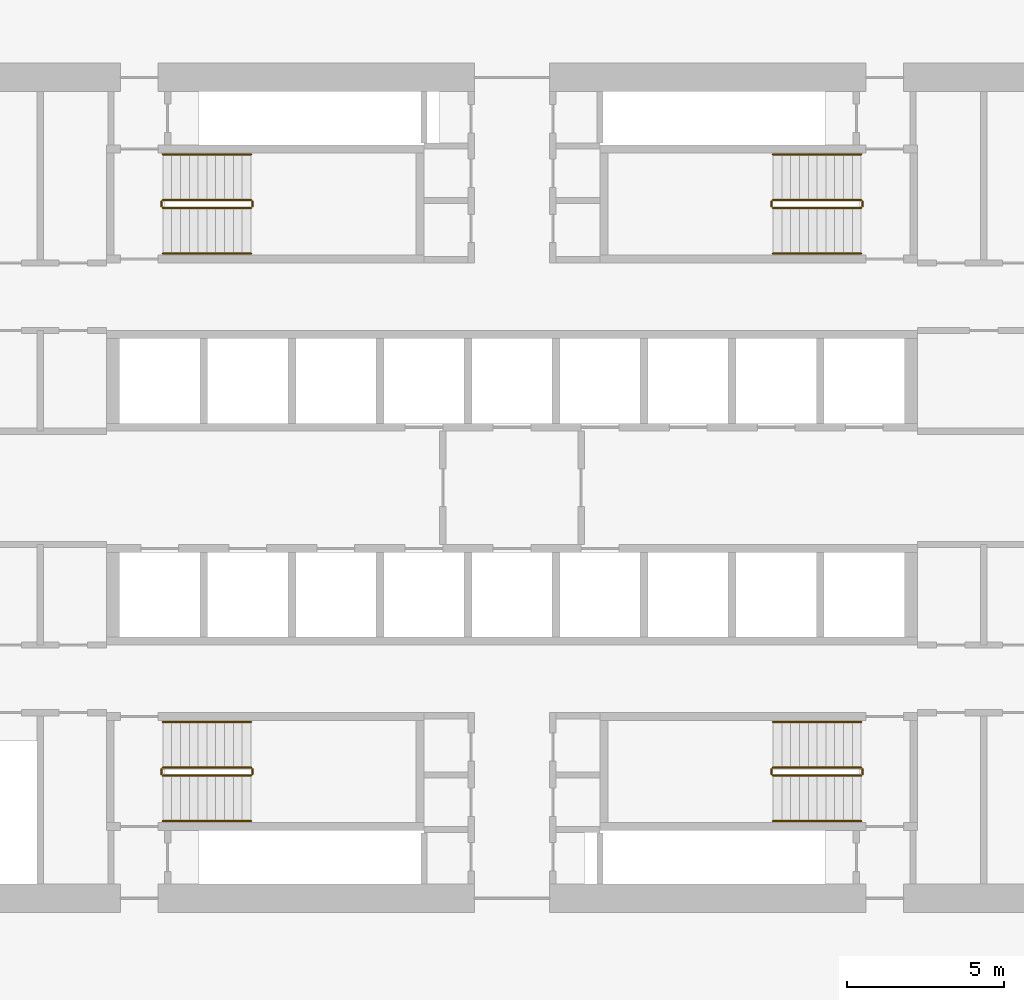
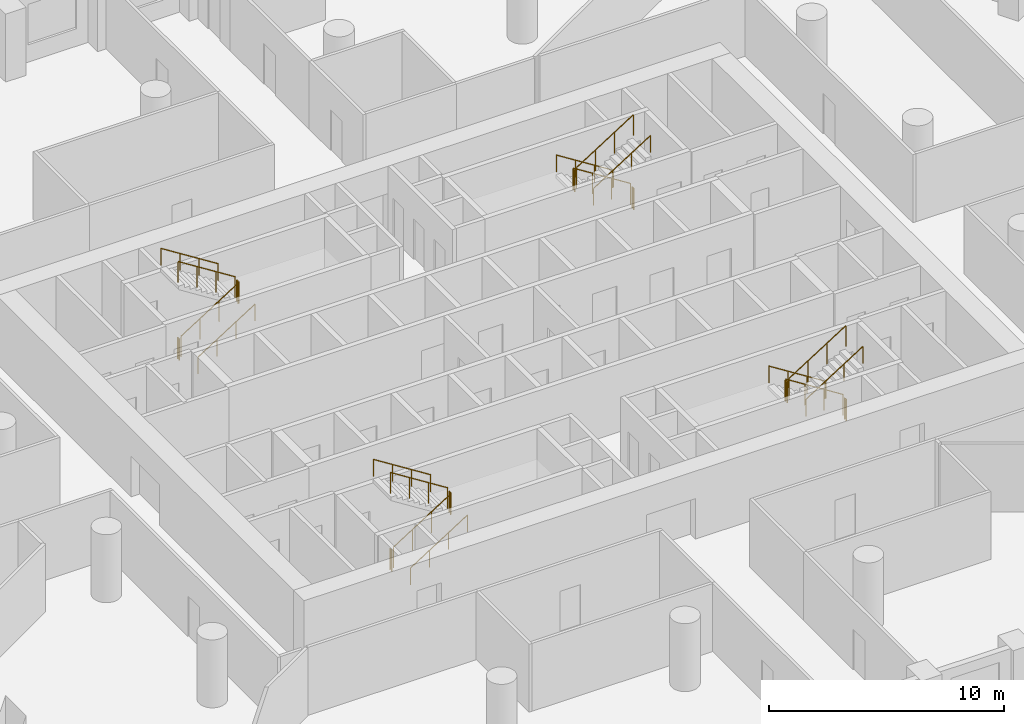
# One storey, part 10 of 10: 24 railings.
"""IFC4 building model written with IfcOpenShell, lengths in metres."""

from ifc_helpers import new_model, si_unit, direction, frame, origin, origin_2d, place, context, subcontext, project, spatial, circle, extrude, material, type_object, element, save


model = new_model("IFC4")

# Units and contexts
model_context = context("Model", 3, precision=1e-05, world=origin(), true_north=direction((0.0, 1.0)))
body_context = subcontext(model_context, "Body", "Model", "MODEL_VIEW")
ifc_project = project(units=[si_unit("LENGTHUNIT", "METRE"), si_unit("AREAUNIT", "SQUARE_METRE"), si_unit("VOLUMEUNIT", "CUBIC_METRE"), si_unit("PLANEANGLEUNIT", "RADIAN"), si_unit("MASSUNIT", "GRAM", prefix="KILO")], contexts=[model_context])

# Site, building, storey
site_placement = place(None, origin())
site = spatial("IfcSite", under=ifc_project, at=site_placement, CompositionType="ELEMENT")
building_placement = place(site_placement, origin())
building = spatial("IfcBuilding", under=site, at=building_placement, Name="Dhurran Vertical Campus", CompositionType="ELEMENT")
storey_placement = place(building_placement, frame((0.0, 0.0, 112.5)))
storey = spatial("IfcBuildingStorey", under=building, at=storey_placement, Name="L27", CompositionType="ELEMENT", Elevation=112.5)

# Railings
ifc_material_1 = material(Name="Stainless steel balustrade", Category="steel")
railing_type_1 = type_object("IfcRailingType", Name="co-RL-GUARD-1100", PredefinedType="GUARDRAIL", material=ifc_material_1)
railing_1_placement = place(storey_placement, frame((-11.10009765625, 8.89990234375, 0.17724609375)))
element("IfcRailing", 1, at=railing_1_placement, inside=storey, type_object=railing_type_1, Name="L27 ST1 stair guard 1", PredefinedType="GUARDRAIL", context=body_context, shape_type="SweptSolid", body=[
    extrude(circle(Radius=0.02392578125, at=origin_2d()), frame((0.0, 0.0, 1.076171875), z_axis=(0.844908973607, 0.0, 0.534910110503), x_axis=(0.0, 1.0, 0.0)), (0.0, 0.0, 1.0), 3.31396484375),
    extrude(circle(Radius=0.02099609375, at=origin_2d()), origin(), (0.0, 0.0, 1.0), 1.052001953125),
    extrude(circle(Radius=0.02099609375, at=origin_2d()), frame((0.933349609375, 0.0, 0.5908203125)), (0.0, 0.0, 1.0), 1.052001953125),
    extrude(circle(Radius=0.02099609375, at=origin_2d()), frame((1.86669921875, 0.0, 1.181884765625)), (0.0, 0.0, 1.0), 1.052001953125),
    extrude(circle(Radius=0.02099609375, at=origin_2d()), frame((2.800048828125, 0.0, 1.772705078125)), (0.0, 0.0, 1.0), 1.052001953125),
])
railing_2_placement = place(storey_placement, frame((-8.25, 8.949951171875, 1.949951171875)))
element("IfcRailing", 2, at=railing_2_placement, inside=storey, type_object=railing_type_1, Name="L27 ST1 stair guard 2", PredefinedType="GUARDRAIL", context=body_context, shape_type="SweptSolid", body=[
    extrude(circle(Radius=0.02392578125, at=origin_2d()), frame((0.0, 0.0, 1.076171875), z_axis=(0.0, 1.0, 0.0), x_axis=(-1.0, 0.0, 0.0)), (0.0, 0.0, 1.0), 0.150146484375),
    extrude(circle(Radius=0.02099609375, at=origin_2d()), origin(), (0.0, 0.0, 1.0), 1.052001953125),
    extrude(circle(Radius=0.02099609375, at=origin_2d()), frame((0.0, 0.150146484375, 0.0)), (0.0, 0.0, 1.0), 1.052001953125),
])
railing_3_placement = place(storey_placement, frame((-8.300048828125, 9.14990234375, 2.127197265625)))
element("IfcRailing", 3, at=railing_3_placement, inside=storey, type_object=railing_type_1, Name="L27 ST1 stair guard 3", PredefinedType="GUARDRAIL", context=body_context, shape_type="SweptSolid", body=[
    extrude(circle(Radius=0.02392578125, at=origin_2d()), frame((0.0, 0.0, 1.076171875), z_axis=(-0.844908973607, 0.0, 0.534910110503), x_axis=(0.0, -1.0, 0.0)), (0.0, 0.0, 1.0), 3.31396484375),
    extrude(circle(Radius=0.02099609375, at=origin_2d()), origin(), (0.0, 0.0, 1.0), 1.052001953125),
    extrude(circle(Radius=0.02099609375, at=origin_2d()), frame((-0.933349609375, 0.0, 0.5908203125)), (0.0, 0.0, 1.0), 1.052001953125),
    extrude(circle(Radius=0.02099609375, at=origin_2d()), frame((-1.86669921875, 0.0, 1.181884765625)), (0.0, 0.0, 1.0), 1.052001953125),
    extrude(circle(Radius=0.02099609375, at=origin_2d()), frame((-2.800048828125, 0.0, 1.772705078125)), (0.0, 0.0, 1.0), 1.052001953125),
])
railing_4_placement = place(storey_placement, frame((-11.14990234375, 8.949951171875, 0.0)))
element("IfcRailing", 4, at=railing_4_placement, inside=storey, type_object=railing_type_1, Name="L27 ST1 stair guard 4", PredefinedType="GUARDRAIL", context=body_context, shape_type="SweptSolid", body=[
    extrude(circle(Radius=0.02392578125, at=origin_2d()), frame((0.0, 0.0, 1.076171875), z_axis=(0.0, 1.0, 0.0), x_axis=(-1.0, 0.0, 0.0)), (0.0, 0.0, 1.0), 0.150146484375),
    extrude(circle(Radius=0.02099609375, at=origin_2d()), origin(), (0.0, 0.0, 1.0), 1.052001953125),
    extrude(circle(Radius=0.02099609375, at=origin_2d()), frame((0.0, 0.150146484375, 0.0)), (0.0, 0.0, 1.0), 1.052001953125),
])
railing_5_placement = place(storey_placement, frame((11.10009765625, 9.14990234375, 0.17724609375)))
element("IfcRailing", 5, at=railing_5_placement, inside=storey, type_object=railing_type_1, Name="L27 ST2 stair guard 1", PredefinedType="GUARDRAIL", context=body_context, shape_type="SweptSolid", body=[
    extrude(circle(Radius=0.02392578125, at=origin_2d()), frame((0.0, 0.0, 1.076171875), z_axis=(-0.844908973607, 0.0, 0.534910110503), x_axis=(0.0, -1.0, 0.0)), (0.0, 0.0, 1.0), 3.31396484375),
    extrude(circle(Radius=0.02099609375, at=origin_2d()), origin(), (0.0, 0.0, 1.0), 1.052001953125),
    extrude(circle(Radius=0.02099609375, at=origin_2d()), frame((-0.933349609375, 0.0, 0.5908203125)), (0.0, 0.0, 1.0), 1.052001953125),
    extrude(circle(Radius=0.02099609375, at=origin_2d()), frame((-1.86669921875, 0.0, 1.181884765625)), (0.0, 0.0, 1.0), 1.052001953125),
    extrude(circle(Radius=0.02099609375, at=origin_2d()), frame((-2.800048828125, 0.0, 1.772705078125)), (0.0, 0.0, 1.0), 1.052001953125),
])
railing_6_placement = place(storey_placement, frame((8.25, 9.10009765625, 1.949951171875)))
element("IfcRailing", 6, at=railing_6_placement, inside=storey, type_object=railing_type_1, Name="L27 ST2 stair guard 2", PredefinedType="GUARDRAIL", context=body_context, shape_type="SweptSolid", body=[
    extrude(circle(Radius=0.02392578125, at=origin_2d()), frame((0.0, 0.0, 1.076171875), z_axis=(0.0, -1.0, 0.0), x_axis=(1.0, 0.0, 0.0)), (0.0, 0.0, 1.0), 0.150146484375),
    extrude(circle(Radius=0.02099609375, at=origin_2d()), origin(), (0.0, 0.0, 1.0), 1.052001953125),
    extrude(circle(Radius=0.02099609375, at=origin_2d()), frame((0.0, -0.150146484375, 0.0)), (0.0, 0.0, 1.0), 1.052001953125),
])
railing_7_placement = place(storey_placement, frame((8.300048828125, 8.89990234375, 2.127197265625)))
element("IfcRailing", 7, at=railing_7_placement, inside=storey, type_object=railing_type_1, Name="L27 ST2 stair guard 3", PredefinedType="GUARDRAIL", context=body_context, shape_type="SweptSolid", body=[
    extrude(circle(Radius=0.02392578125, at=origin_2d()), frame((0.0, 0.0, 1.076171875), z_axis=(0.844908973607, 0.0, 0.534910110503), x_axis=(0.0, 1.0, 0.0)), (0.0, 0.0, 1.0), 3.31396484375),
    extrude(circle(Radius=0.02099609375, at=origin_2d()), origin(), (0.0, 0.0, 1.0), 1.052001953125),
    extrude(circle(Radius=0.02099609375, at=origin_2d()), frame((0.933349609375, 0.0, 0.5908203125)), (0.0, 0.0, 1.0), 1.052001953125),
    extrude(circle(Radius=0.02099609375, at=origin_2d()), frame((1.86669921875, 0.0, 1.181884765625)), (0.0, 0.0, 1.0), 1.052001953125),
    extrude(circle(Radius=0.02099609375, at=origin_2d()), frame((2.800048828125, 0.0, 1.772705078125)), (0.0, 0.0, 1.0), 1.052001953125),
])
railing_8_placement = place(storey_placement, frame((11.14990234375, 9.10009765625, 0.0)))
element("IfcRailing", 8, at=railing_8_placement, inside=storey, type_object=railing_type_1, Name="L27 ST2 stair guard 4", PredefinedType="GUARDRAIL", context=body_context, shape_type="SweptSolid", body=[
    extrude(circle(Radius=0.02392578125, at=origin_2d()), frame((0.0, 0.0, 1.076171875), z_axis=(0.0, -1.0, 0.0), x_axis=(1.0, 0.0, 0.0)), (0.0, 0.0, 1.0), 0.150146484375),
    extrude(circle(Radius=0.02099609375, at=origin_2d()), origin(), (0.0, 0.0, 1.0), 1.052001953125),
    extrude(circle(Radius=0.02099609375, at=origin_2d()), frame((0.0, -0.150146484375, 0.0)), (0.0, 0.0, 1.0), 1.052001953125),
])
railing_9_placement = place(storey_placement, frame((-11.10009765625, -9.14990234375, 0.17724609375)))
element("IfcRailing", 9, at=railing_9_placement, inside=storey, type_object=railing_type_1, Name="L27 ST3 stair guard 1", PredefinedType="GUARDRAIL", context=body_context, shape_type="SweptSolid", body=[
    extrude(circle(Radius=0.02392578125, at=origin_2d()), frame((0.0, 0.0, 1.076171875), z_axis=(0.844908973607, 0.0, 0.534910110503), x_axis=(0.0, 1.0, 0.0)), (0.0, 0.0, 1.0), 3.31396484375),
    extrude(circle(Radius=0.02099609375, at=origin_2d()), origin(), (0.0, 0.0, 1.0), 1.052001953125),
    extrude(circle(Radius=0.02099609375, at=origin_2d()), frame((0.933349609375, 0.0, 0.5908203125)), (0.0, 0.0, 1.0), 1.052001953125),
    extrude(circle(Radius=0.02099609375, at=origin_2d()), frame((1.86669921875, 0.0, 1.181884765625)), (0.0, 0.0, 1.0), 1.052001953125),
    extrude(circle(Radius=0.02099609375, at=origin_2d()), frame((2.800048828125, 0.0, 1.772705078125)), (0.0, 0.0, 1.0), 1.052001953125),
])
railing_10_placement = place(storey_placement, frame((-8.25, -9.10009765625, 1.949951171875)))
element("IfcRailing", 10, at=railing_10_placement, inside=storey, type_object=railing_type_1, Name="L27 ST3 stair guard 2", PredefinedType="GUARDRAIL", context=body_context, shape_type="SweptSolid", body=[
    extrude(circle(Radius=0.02392578125, at=origin_2d()), frame((0.0, 0.0, 1.076171875), z_axis=(0.0, 1.0, 0.0), x_axis=(-1.0, 0.0, 0.0)), (0.0, 0.0, 1.0), 0.150146484375),
    extrude(circle(Radius=0.02099609375, at=origin_2d()), origin(), (0.0, 0.0, 1.0), 1.052001953125),
    extrude(circle(Radius=0.02099609375, at=origin_2d()), frame((0.0, 0.150146484375, 0.0)), (0.0, 0.0, 1.0), 1.052001953125),
])
railing_11_placement = place(storey_placement, frame((-8.300048828125, -8.89990234375, 2.127197265625)))
element("IfcRailing", 11, at=railing_11_placement, inside=storey, type_object=railing_type_1, Name="L27 ST3 stair guard 3", PredefinedType="GUARDRAIL", context=body_context, shape_type="SweptSolid", body=[
    extrude(circle(Radius=0.02392578125, at=origin_2d()), frame((0.0, 0.0, 1.076171875), z_axis=(-0.844908973607, 0.0, 0.534910110503), x_axis=(0.0, -1.0, 0.0)), (0.0, 0.0, 1.0), 3.31396484375),
    extrude(circle(Radius=0.02099609375, at=origin_2d()), origin(), (0.0, 0.0, 1.0), 1.052001953125),
    extrude(circle(Radius=0.02099609375, at=origin_2d()), frame((-0.933349609375, 0.0, 0.5908203125)), (0.0, 0.0, 1.0), 1.052001953125),
    extrude(circle(Radius=0.02099609375, at=origin_2d()), frame((-1.86669921875, 0.0, 1.181884765625)), (0.0, 0.0, 1.0), 1.052001953125),
    extrude(circle(Radius=0.02099609375, at=origin_2d()), frame((-2.800048828125, 0.0, 1.772705078125)), (0.0, 0.0, 1.0), 1.052001953125),
])
railing_12_placement = place(storey_placement, frame((-11.14990234375, -9.10009765625, 0.0)))
element("IfcRailing", 12, at=railing_12_placement, inside=storey, type_object=railing_type_1, Name="L27 ST3 stair guard 4", PredefinedType="GUARDRAIL", context=body_context, shape_type="SweptSolid", body=[
    extrude(circle(Radius=0.02392578125, at=origin_2d()), frame((0.0, 0.0, 1.076171875), z_axis=(0.0, 1.0, 0.0), x_axis=(-1.0, 0.0, 0.0)), (0.0, 0.0, 1.0), 0.150146484375),
    extrude(circle(Radius=0.02099609375, at=origin_2d()), origin(), (0.0, 0.0, 1.0), 1.052001953125),
    extrude(circle(Radius=0.02099609375, at=origin_2d()), frame((0.0, 0.150146484375, 0.0)), (0.0, 0.0, 1.0), 1.052001953125),
])
railing_13_placement = place(storey_placement, frame((11.10009765625, -8.89990234375, 0.17724609375)))
element("IfcRailing", 13, at=railing_13_placement, inside=storey, type_object=railing_type_1, Name="L27 ST4 stair guard 1", PredefinedType="GUARDRAIL", context=body_context, shape_type="SweptSolid", body=[
    extrude(circle(Radius=0.02392578125, at=origin_2d()), frame((0.0, 0.0, 1.076171875), z_axis=(-0.844908973607, 0.0, 0.534910110503), x_axis=(0.0, -1.0, 0.0)), (0.0, 0.0, 1.0), 3.31396484375),
    extrude(circle(Radius=0.02099609375, at=origin_2d()), origin(), (0.0, 0.0, 1.0), 1.052001953125),
    extrude(circle(Radius=0.02099609375, at=origin_2d()), frame((-0.933349609375, 0.0, 0.5908203125)), (0.0, 0.0, 1.0), 1.052001953125),
    extrude(circle(Radius=0.02099609375, at=origin_2d()), frame((-1.86669921875, 0.0, 1.181884765625)), (0.0, 0.0, 1.0), 1.052001953125),
    extrude(circle(Radius=0.02099609375, at=origin_2d()), frame((-2.800048828125, 0.0, 1.772705078125)), (0.0, 0.0, 1.0), 1.052001953125),
])
railing_14_placement = place(storey_placement, frame((8.25, -8.949951171875, 1.949951171875)))
element("IfcRailing", 14, at=railing_14_placement, inside=storey, type_object=railing_type_1, Name="L27 ST4 stair guard 2", PredefinedType="GUARDRAIL", context=body_context, shape_type="SweptSolid", body=[
    extrude(circle(Radius=0.02392578125, at=origin_2d()), frame((0.0, 0.0, 1.076171875), z_axis=(0.0, -1.0, 0.0), x_axis=(1.0, 0.0, 0.0)), (0.0, 0.0, 1.0), 0.150146484375),
    extrude(circle(Radius=0.02099609375, at=origin_2d()), origin(), (0.0, 0.0, 1.0), 1.052001953125),
    extrude(circle(Radius=0.02099609375, at=origin_2d()), frame((0.0, -0.150146484375, 0.0)), (0.0, 0.0, 1.0), 1.052001953125),
])
railing_15_placement = place(storey_placement, frame((8.300048828125, -9.14990234375, 2.127197265625)))
element("IfcRailing", 15, at=railing_15_placement, inside=storey, type_object=railing_type_1, Name="L27 ST4 stair guard 3", PredefinedType="GUARDRAIL", context=body_context, shape_type="SweptSolid", body=[
    extrude(circle(Radius=0.02392578125, at=origin_2d()), frame((0.0, 0.0, 1.076171875), z_axis=(0.844908973607, 0.0, 0.534910110503), x_axis=(0.0, 1.0, 0.0)), (0.0, 0.0, 1.0), 3.31396484375),
    extrude(circle(Radius=0.02099609375, at=origin_2d()), origin(), (0.0, 0.0, 1.0), 1.052001953125),
    extrude(circle(Radius=0.02099609375, at=origin_2d()), frame((0.933349609375, 0.0, 0.5908203125)), (0.0, 0.0, 1.0), 1.052001953125),
    extrude(circle(Radius=0.02099609375, at=origin_2d()), frame((1.86669921875, 0.0, 1.181884765625)), (0.0, 0.0, 1.0), 1.052001953125),
    extrude(circle(Radius=0.02099609375, at=origin_2d()), frame((2.800048828125, 0.0, 1.772705078125)), (0.0, 0.0, 1.0), 1.052001953125),
])
railing_16_placement = place(storey_placement, frame((11.14990234375, -8.949951171875, 0.0)))
element("IfcRailing", 16, at=railing_16_placement, inside=storey, type_object=railing_type_1, Name="L27 ST4 stair guard 4", PredefinedType="GUARDRAIL", context=body_context, shape_type="SweptSolid", body=[
    extrude(circle(Radius=0.02392578125, at=origin_2d()), frame((0.0, 0.0, 1.076171875), z_axis=(0.0, -1.0, 0.0), x_axis=(1.0, 0.0, 0.0)), (0.0, 0.0, 1.0), 0.150146484375),
    extrude(circle(Radius=0.02099609375, at=origin_2d()), origin(), (0.0, 0.0, 1.0), 1.052001953125),
    extrude(circle(Radius=0.02099609375, at=origin_2d()), frame((0.0, -0.150146484375, 0.0)), (0.0, 0.0, 1.0), 1.052001953125),
])
ifc_material_2 = material(Name="Stainless steel handrail", Category="steel")
railing_type_2 = type_object("IfcRailingType", Name="co-RL-HANDRAIL-900", PredefinedType="HANDRAIL", material=ifc_material_2)
railing_17_placement = place(storey_placement, frame((-11.10009765625, 7.449951171875, 0.17724609375)))
element("IfcRailing", 17, at=railing_17_placement, inside=storey, type_object=railing_type_2, Name="L27 ST1 stair handrail 1", PredefinedType="HANDRAIL", context=body_context, shape_type="SweptSolid", body=[
    extrude(circle(Radius=0.02392578125, at=origin_2d()), frame((0.0, 0.0, 0.8759765625), z_axis=(0.844908973607, 0.0, 0.534910110503), x_axis=(0.0, 1.0, 0.0)), (0.0, 0.0, 1.0), 3.31396484375),
    extrude(circle(Radius=0.02099609375, at=origin_2d()), origin(), (0.0, 0.0, 1.0), 0.851806640625),
    extrude(circle(Radius=0.02099609375, at=origin_2d()), frame((0.933349609375, 0.0, 0.5908203125)), (0.0, 0.0, 1.0), 0.851806640625),
    extrude(circle(Radius=0.02099609375, at=origin_2d()), frame((1.86669921875, 0.0, 1.181884765625)), (0.0, 0.0, 1.0), 0.851806640625),
    extrude(circle(Radius=0.02099609375, at=origin_2d()), frame((2.800048828125, 0.0, 1.772705078125)), (0.0, 0.0, 1.0), 0.851806640625),
])
for number, where, name in (
    (18, (-8.300048828125, 10.60009765625, 2.127197265625), "L27 ST1 stair handrail 2"),
    (19, (11.10009765625, 10.60009765625, 0.17724609375), "L27 ST2 stair handrail 1"),
):
    element("IfcRailing", number, at=place(storey_placement, frame(where)), inside=storey, type_object=railing_type_2, Name=name, PredefinedType="HANDRAIL", context=body_context, shape_type="SweptSolid", body=[
        extrude(circle(Radius=0.02392578125, at=origin_2d()), frame((0.0, 0.0, 0.8759765625), z_axis=(-0.844908973607, 0.0, 0.534910110503), x_axis=(0.0, -1.0, 0.0)), (0.0, 0.0, 1.0), 3.31396484375),
        extrude(circle(Radius=0.02099609375, at=origin_2d()), origin(), (0.0, 0.0, 1.0), 0.851806640625),
        extrude(circle(Radius=0.02099609375, at=origin_2d()), frame((-0.933349609375, 0.0, 0.5908203125)), (0.0, 0.0, 1.0), 0.851806640625),
        extrude(circle(Radius=0.02099609375, at=origin_2d()), frame((-1.86669921875, 0.0, 1.181884765625)), (0.0, 0.0, 1.0), 0.851806640625),
        extrude(circle(Radius=0.02099609375, at=origin_2d()), frame((-2.800048828125, 0.0, 1.772705078125)), (0.0, 0.0, 1.0), 0.851806640625),
    ])
for number, where, name in (
    (20, (8.300048828125, 7.449951171875, 2.127197265625), "L27 ST2 stair handrail 2"),
    (21, (-11.10009765625, -10.60009765625, 0.17724609375), "L27 ST3 stair handrail 1"),
):
    element("IfcRailing", number, at=place(storey_placement, frame(where)), inside=storey, type_object=railing_type_2, Name=name, PredefinedType="HANDRAIL", context=body_context, shape_type="SweptSolid", body=[
        extrude(circle(Radius=0.02392578125, at=origin_2d()), frame((0.0, 0.0, 0.8759765625), z_axis=(0.844908973607, 0.0, 0.534910110503), x_axis=(0.0, 1.0, 0.0)), (0.0, 0.0, 1.0), 3.31396484375),
        extrude(circle(Radius=0.02099609375, at=origin_2d()), origin(), (0.0, 0.0, 1.0), 0.851806640625),
        extrude(circle(Radius=0.02099609375, at=origin_2d()), frame((0.933349609375, 0.0, 0.5908203125)), (0.0, 0.0, 1.0), 0.851806640625),
        extrude(circle(Radius=0.02099609375, at=origin_2d()), frame((1.86669921875, 0.0, 1.181884765625)), (0.0, 0.0, 1.0), 0.851806640625),
        extrude(circle(Radius=0.02099609375, at=origin_2d()), frame((2.800048828125, 0.0, 1.772705078125)), (0.0, 0.0, 1.0), 0.851806640625),
    ])
for number, where, name in (
    (22, (-8.300048828125, -7.449951171875, 2.127197265625), "L27 ST3 stair handrail 2"),
    (23, (11.10009765625, -7.449951171875, 0.17724609375), "L27 ST4 stair handrail 1"),
):
    element("IfcRailing", number, at=place(storey_placement, frame(where)), inside=storey, type_object=railing_type_2, Name=name, PredefinedType="HANDRAIL", context=body_context, shape_type="SweptSolid", body=[
        extrude(circle(Radius=0.02392578125, at=origin_2d()), frame((0.0, 0.0, 0.8759765625), z_axis=(-0.844908973607, 0.0, 0.534910110503), x_axis=(0.0, -1.0, 0.0)), (0.0, 0.0, 1.0), 3.31396484375),
        extrude(circle(Radius=0.02099609375, at=origin_2d()), origin(), (0.0, 0.0, 1.0), 0.851806640625),
        extrude(circle(Radius=0.02099609375, at=origin_2d()), frame((-0.933349609375, 0.0, 0.5908203125)), (0.0, 0.0, 1.0), 0.851806640625),
        extrude(circle(Radius=0.02099609375, at=origin_2d()), frame((-1.86669921875, 0.0, 1.181884765625)), (0.0, 0.0, 1.0), 0.851806640625),
        extrude(circle(Radius=0.02099609375, at=origin_2d()), frame((-2.800048828125, 0.0, 1.772705078125)), (0.0, 0.0, 1.0), 0.851806640625),
    ])
railing_18_placement = place(storey_placement, frame((8.300048828125, -10.60009765625, 2.127197265625)))
element("IfcRailing", 24, at=railing_18_placement, inside=storey, type_object=railing_type_2, Name="L27 ST4 stair handrail 2", PredefinedType="HANDRAIL", context=body_context, shape_type="SweptSolid", body=[
    extrude(circle(Radius=0.02392578125, at=origin_2d()), frame((0.0, 0.0, 0.8759765625), z_axis=(0.844908973607, 0.0, 0.534910110503), x_axis=(0.0, 1.0, 0.0)), (0.0, 0.0, 1.0), 3.31396484375),
    extrude(circle(Radius=0.02099609375, at=origin_2d()), origin(), (0.0, 0.0, 1.0), 0.851806640625),
    extrude(circle(Radius=0.02099609375, at=origin_2d()), frame((0.933349609375, 0.0, 0.5908203125)), (0.0, 0.0, 1.0), 0.851806640625),
    extrude(circle(Radius=0.02099609375, at=origin_2d()), frame((1.86669921875, 0.0, 1.181884765625)), (0.0, 0.0, 1.0), 0.851806640625),
    extrude(circle(Radius=0.02099609375, at=origin_2d()), frame((2.800048828125, 0.0, 1.772705078125)), (0.0, 0.0, 1.0), 0.851806640625),
])

save(model, "model.ifc")
